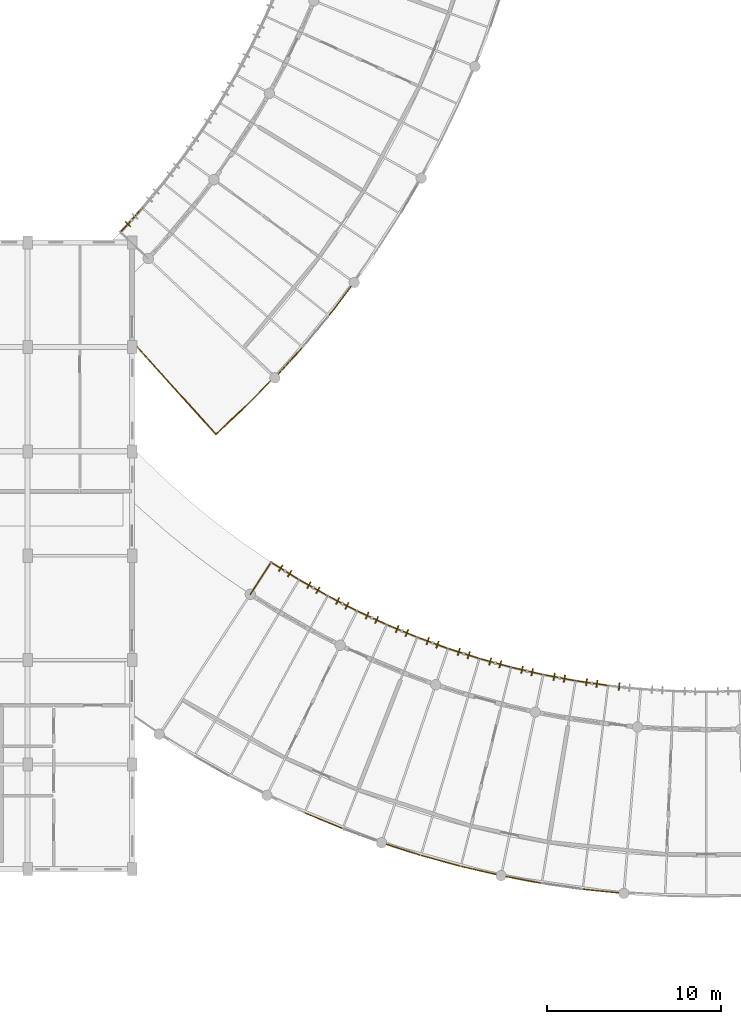
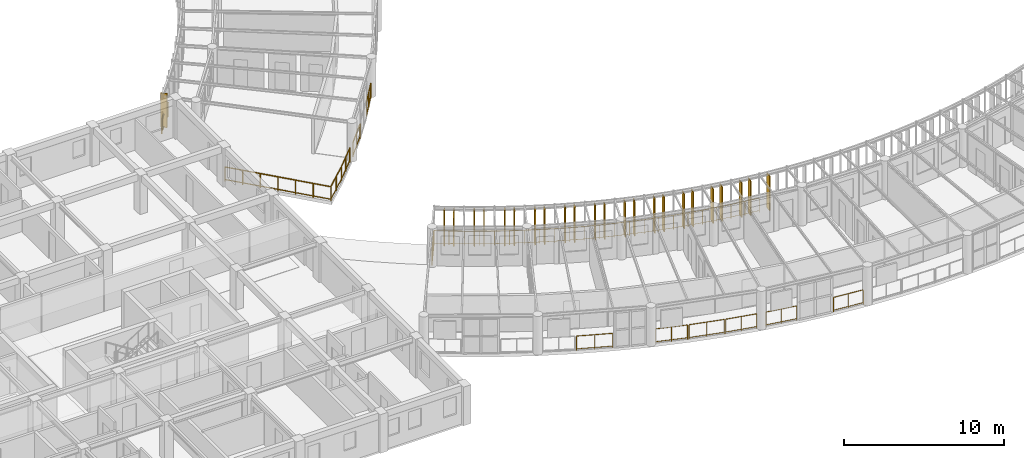
# One storey, part 89 of 100: 24 railings, 24 shading devices.
"""IFC4 building model written with IfcOpenShell, lengths in metres."""

from ifc_helpers import new_model, si_unit, direction, frame, origin, origin_2d, place, context, subcontext, project, spatial, rectangle, circle, extrude, material, layer, layer_set, type_object, element, save


model = new_model("IFC4")

# Units and contexts
model_context = context("Model", 3, precision=1e-05, world=origin(), true_north=direction((0.0, 1.0)))
body_context = subcontext(model_context, "Body", "Model", "MODEL_VIEW")
ifc_project = project(units=[si_unit("LENGTHUNIT", "METRE"), si_unit("AREAUNIT", "SQUARE_METRE"), si_unit("VOLUMEUNIT", "CUBIC_METRE"), si_unit("PLANEANGLEUNIT", "RADIAN"), si_unit("MASSUNIT", "GRAM", prefix="KILO"), si_unit("POWERUNIT", "WATT"), si_unit("THERMODYNAMICTEMPERATUREUNIT", "KELVIN")], contexts=[model_context])

# Site, building, storey
site_placement = place(None, origin())
site = spatial("IfcSite", under=ifc_project, at=site_placement, CompositionType="ELEMENT")
building_placement = place(site_placement, origin())
building = spatial("IfcBuilding", under=site, at=building_placement, Name="Ruvembo Vaulted Housing Court", CompositionType="ELEMENT")
storey_placement = place(building_placement, frame((0.0, 0.0, 14.10009765625)))
storey = spatial("IfcBuildingStorey", under=building, at=storey_placement, Name="L04", CompositionType="ELEMENT", Elevation=14.10009765625)

# Railings
ifc_material_1 = material(Name="Galvanised Painted Steel and Laminated Glass", Category="steel")
ifc_layer_1 = layer(ifc_material_1, 0.070068359375, Name="Galvanised Painted Steel and Laminated Glass")
ifc_layer_set_1 = layer_set([ifc_layer_1], Name="Galvanised Painted Steel and Laminated Glass")
railing_type_1 = type_object("IfcRailingType", Name="RL-BALUST-1120", PredefinedType="BALUSTRADE", material=ifc_layer_set_1)
railing_1_placement = place(storey_placement, frame((44.408935546875, 34.44189453125, 0.0)))
element("IfcRailing", 1, at=railing_1_placement, inside=storey, type_object=railing_type_1, Name="L04 Perimeter Guard RL-EXT-L04-0145", PredefinedType="BALUSTRADE", context=body_context, shape_type="SweptSolid", body=[
    extrude(circle(Radius=0.02392578125, at=origin_2d()), frame((0.0, 0.0, 1.09619140625), z_axis=(0.670925942214, 0.741524362422, 0.0), x_axis=(-0.741524362422, 0.670925942214, 0.0)), (0.0, 0.0, 1.0), 2.0263671875),
    extrude(circle(Radius=0.01806640625, at=origin_2d()), frame((0.0, 0.0, 0.1201171875), z_axis=(0.670925942214, 0.741524362422, 0.0), x_axis=(-0.741524362422, 0.670925942214, 0.0)), (0.0, 0.0, 1.0), 2.0263671875),
    extrude(circle(Radius=0.02099609375, at=origin_2d()), origin(), (0.0, 0.0, 1.0), 1.072021484375),
    extrude(circle(Radius=0.02099609375, at=origin_2d()), frame((0.6796875, 0.75146484375, 0.0)), (0.0, 0.0, 1.0), 1.072021484375),
    extrude(circle(Radius=0.02099609375, at=origin_2d()), frame((1.359619140625, 1.502685546875, 0.0)), (0.0, 0.0, 1.0), 1.072021484375),
])
railing_2_placement = place(storey_placement, frame((47.35302734375, 37.847900390625, 0.0)))
element("IfcRailing", 2, at=railing_2_placement, inside=storey, type_object=railing_type_1, Name="L04 Perimeter Guard RL-EXT-L04-0146", PredefinedType="BALUSTRADE", context=body_context, shape_type="SweptSolid", body=[
    extrude(circle(Radius=0.02392578125, at=origin_2d()), frame((0.0, 0.0, 1.09619140625), z_axis=(0.607892701824, 0.794019183061, 0.0), x_axis=(-0.794019183061, 0.607892701824, 0.0)), (0.0, 0.0, 1.0), 2.026611328125),
    extrude(circle(Radius=0.01806640625, at=origin_2d()), frame((0.0, 0.0, 0.1201171875), z_axis=(0.607892701824, 0.794019183061, 0.0), x_axis=(-0.794019183061, 0.607892701824, 0.0)), (0.0, 0.0, 1.0), 2.026611328125),
    extrude(circle(Radius=0.02099609375, at=origin_2d()), origin(), (0.0, 0.0, 1.0), 1.072021484375),
    extrude(circle(Radius=0.02099609375, at=origin_2d()), frame((0.615966796875, 0.8046875, 0.0)), (0.0, 0.0, 1.0), 1.072021484375),
    extrude(circle(Radius=0.02099609375, at=origin_2d()), frame((1.23193359375, 1.609130859375, 0.0)), (0.0, 0.0, 1.0), 1.072021484375),
])
railing_3_placement = place(storey_placement, frame((45.95263671875, 9.213134765625, 0.0)))
element("IfcRailing", 3, at=railing_3_placement, inside=storey, type_object=railing_type_1, Name="L04 Perimeter Guard RL-EXT-L04-0425", PredefinedType="BALUSTRADE", context=body_context, shape_type="SweptSolid", body=[
    extrude(circle(Radius=0.02392578125, at=origin_2d()), frame((0.0, 0.0, 1.09619140625), z_axis=(0.924177481842, -0.381963325538, 0.0), x_axis=(0.381963325538, 0.924177481842, 0.0)), (0.0, 0.0, 1.0), 2.276123046875),
    extrude(circle(Radius=0.01806640625, at=origin_2d()), frame((0.0, 0.0, 0.1201171875), z_axis=(0.924177481842, -0.381963325538, 0.0), x_axis=(0.381963325538, 0.924177481842, 0.0)), (0.0, 0.0, 1.0), 2.276123046875),
    extrude(circle(Radius=0.02099609375, at=origin_2d()), origin(), (0.0, 0.0, 1.0), 1.072021484375),
    extrude(circle(Radius=0.02099609375, at=origin_2d()), frame((1.0517578125, -0.4345703125, 0.0)), (0.0, 0.0, 1.0), 1.072021484375),
    extrude(circle(Radius=0.02099609375, at=origin_2d()), frame((2.103515625, -0.869384765625, 0.0)), (0.0, 0.0, 1.0), 1.072021484375),
])
railing_4_placement = place(storey_placement, frame((50.619384765625, 7.4169921875, 0.0)))
element("IfcRailing", 4, at=railing_4_placement, inside=storey, type_object=railing_type_1, Name="L04 Perimeter Guard RL-EXT-L04-0426", PredefinedType="BALUSTRADE", context=body_context, shape_type="SweptSolid", body=[
    extrude(circle(Radius=0.02392578125, at=origin_2d()), frame((0.0, 0.0, 1.09619140625), z_axis=(0.952549987203, -0.304382197049, 0.0), x_axis=(0.304382197049, 0.952549987203, 0.0)), (0.0, 0.0, 1.0), 2.026123046875),
    extrude(circle(Radius=0.01806640625, at=origin_2d()), frame((0.0, 0.0, 0.1201171875), z_axis=(0.952549987203, -0.304382197049, 0.0), x_axis=(0.304382197049, 0.952549987203, 0.0)), (0.0, 0.0, 1.0), 2.026123046875),
    extrude(circle(Radius=0.02099609375, at=origin_2d()), origin(), (0.0, 0.0, 1.0), 1.072021484375),
    extrude(circle(Radius=0.02099609375, at=origin_2d()), frame((0.96484375, -0.308349609375, 0.0)), (0.0, 0.0, 1.0), 1.072021484375),
    extrude(circle(Radius=0.02099609375, at=origin_2d()), frame((1.929931640625, -0.61669921875, 0.0)), (0.0, 0.0, 1.0), 1.072021484375),
])
railing_5_placement = place(storey_placement, frame((52.64501953125, 6.771728515625, 0.0)))
element("IfcRailing", 5, at=railing_5_placement, inside=storey, type_object=railing_type_1, Name="L04 Perimeter Guard RL-EXT-L04-0427", PredefinedType="BALUSTRADE", context=body_context, shape_type="SweptSolid", body=[
    extrude(circle(Radius=0.02392578125, at=origin_2d()), frame((0.0, 0.0, 1.09619140625), z_axis=(0.964267067666, -0.264932108691, 0.0), x_axis=(0.264932108691, 0.964267067666, 0.0)), (0.0, 0.0, 1.0), 2.276123046875),
    extrude(circle(Radius=0.01806640625, at=origin_2d()), frame((0.0, 0.0, 0.1201171875), z_axis=(0.964267067666, -0.264932108691, 0.0), x_axis=(0.264932108691, 0.964267067666, 0.0)), (0.0, 0.0, 1.0), 2.276123046875),
    extrude(circle(Radius=0.02099609375, at=origin_2d()), origin(), (0.0, 0.0, 1.0), 1.072021484375),
    extrude(circle(Radius=0.02099609375, at=origin_2d()), frame((1.097412109375, -0.301513671875, 0.0)), (0.0, 0.0, 1.0), 1.072021484375),
    extrude(circle(Radius=0.02099609375, at=origin_2d()), frame((2.19482421875, -0.60302734375, 0.0)), (0.0, 0.0, 1.0), 1.072021484375),
])
railing_6_placement = place(storey_placement, frame((54.936767578125, 6.144287109375, 0.0)))
element("IfcRailing", 6, at=railing_6_placement, inside=storey, type_object=railing_type_1, Name="L04 Perimeter Guard RL-EXT-L04-0428", PredefinedType="BALUSTRADE", context=body_context, shape_type="SweptSolid", body=[
    extrude(circle(Radius=0.02392578125, at=origin_2d()), frame((0.0, 0.0, 1.09619140625), z_axis=(0.974364787244, -0.224973912662, 0.0), x_axis=(0.224973912662, 0.974364787244, 0.0)), (0.0, 0.0, 1.0), 2.026123046875),
    extrude(circle(Radius=0.01806640625, at=origin_2d()), frame((0.0, 0.0, 0.1201171875), z_axis=(0.974364787244, -0.224973912662, 0.0), x_axis=(0.224973912662, 0.974364787244, 0.0)), (0.0, 0.0, 1.0), 2.026123046875),
    extrude(circle(Radius=0.02099609375, at=origin_2d()), origin(), (0.0, 0.0, 1.0), 1.072021484375),
    extrude(circle(Radius=0.02099609375, at=origin_2d()), frame((0.987060546875, -0.22802734375, 0.0)), (0.0, 0.0, 1.0), 1.072021484375),
    extrude(circle(Radius=0.02099609375, at=origin_2d()), frame((1.97412109375, -0.455810546875, 0.0)), (0.0, 0.0, 1.0), 1.072021484375),
])
railing_7_placement = place(storey_placement, frame((57.497802734375, 5.565673828125, 0.0)))
element("IfcRailing", 7, at=railing_7_placement, inside=storey, type_object=railing_type_1, Name="L04 Perimeter Guard RL-EXT-L04-0429", PredefinedType="BALUSTRADE", context=body_context, shape_type="SweptSolid", body=[
    extrude(circle(Radius=0.02392578125, at=origin_2d()), frame((0.0, 0.0, 1.09619140625), z_axis=(0.98281621731, -0.184586789864, 0.0), x_axis=(0.184586789864, 0.98281621731, 0.0)), (0.0, 0.0, 1.0), 2.0263671875),
    extrude(circle(Radius=0.01806640625, at=origin_2d()), frame((0.0, 0.0, 0.1201171875), z_axis=(0.98281621731, -0.184586789864, 0.0), x_axis=(0.184586789864, 0.98281621731, 0.0)), (0.0, 0.0, 1.0), 2.0263671875),
    extrude(circle(Radius=0.02099609375, at=origin_2d()), origin(), (0.0, 0.0, 1.0), 1.072021484375),
    extrude(circle(Radius=0.02099609375, at=origin_2d()), frame((0.99560546875, -0.18701171875, 0.0)), (0.0, 0.0, 1.0), 1.072021484375),
    extrude(circle(Radius=0.02099609375, at=origin_2d()), frame((1.991455078125, -0.3740234375, 0.0)), (0.0, 0.0, 1.0), 1.072021484375),
])
railing_8_placement = place(storey_placement, frame((61.939208984375, 4.83544921875, 0.0)))
element("IfcRailing", 8, at=railing_8_placement, inside=storey, type_object=railing_type_1, Name="L04 Perimeter Guard RL-EXT-L04-0430", PredefinedType="BALUSTRADE", context=body_context, shape_type="SweptSolid", body=[
    extrude(circle(Radius=0.02392578125, at=origin_2d()), frame((0.0, 0.0, 1.09619140625), z_axis=(0.994679027979, -0.103022479579, 0.0), x_axis=(0.103022479579, 0.994679027979, 0.0)), (0.0, 0.0, 1.0), 2.026123046875),
    extrude(circle(Radius=0.01806640625, at=origin_2d()), frame((0.0, 0.0, 0.1201171875), z_axis=(0.994679027979, -0.103022479579, 0.0), x_axis=(0.103022479579, 0.994679027979, 0.0)), (0.0, 0.0, 1.0), 2.026123046875),
    extrude(circle(Radius=0.02099609375, at=origin_2d()), origin(), (0.0, 0.0, 1.0), 1.072021484375),
    extrude(circle(Radius=0.02099609375, at=origin_2d()), frame((1.0078125, -0.1044921875, 0.0)), (0.0, 0.0, 1.0), 1.072021484375),
    extrude(circle(Radius=0.02099609375, at=origin_2d()), frame((2.015380859375, -0.208740234375, 0.0)), (0.0, 0.0, 1.0), 1.072021484375),
])
ifc_material_2 = material(Name="Galvanised Painted Steel S275", Category="steel")
ifc_layer_2 = layer(ifc_material_2, 0.06005859375, Name="Galvanised Painted Steel S275")
ifc_layer_set_2 = layer_set([ifc_layer_2], Name="Galvanised Painted Steel S275")
railing_type_2 = type_object("IfcRailingType", Name="RL-GUARD-1100", PredefinedType="GUARDRAIL", material=ifc_layer_set_2)
railing_9_placement = place(storey_placement, frame((35.32958984375, 42.5869140625, 0.0)))
element("IfcRailing", 9, at=railing_9_placement, inside=storey, type_object=railing_type_2, Name="L04 Perimeter Guard RL-EXT-L04-0125", PredefinedType="GUARDRAIL", context=body_context, shape_type="SweptSolid", body=[
    extrude(circle(Radius=0.02392578125, at=origin_2d()), frame((0.0, 0.0, 1.076171875), z_axis=(0.670766832997, 0.741668292265, 0.0), x_axis=(-0.741668292265, 0.670766832997, 0.0)), (0.0, 0.0, 1.0), 1.876708984375),
    extrude(circle(Radius=0.01806640625, at=origin_2d()), frame((0.0, 0.0, 0.1201171875), z_axis=(0.670766832997, 0.741668292265, 0.0), x_axis=(-0.741668292265, 0.670766832997, 0.0)), (0.0, 0.0, 1.0), 1.876708984375),
    extrude(circle(Radius=0.02099609375, at=origin_2d()), origin(), (0.0, 0.0, 1.0), 1.052001953125),
    extrude(circle(Radius=0.02099609375, at=origin_2d()), frame((0.62939453125, 0.69580078125, 0.0)), (0.0, 0.0, 1.0), 1.052001953125),
    extrude(circle(Radius=0.02099609375, at=origin_2d()), frame((1.2587890625, 1.391845703125, 0.0)), (0.0, 0.0, 1.0), 1.052001953125),
])
railing_10_placement = place(storey_placement, frame((42.79345703125, 21.785400390625, 0.0)))
element("IfcRailing", 10, at=railing_10_placement, inside=storey, type_object=railing_type_2, Name="L04 Perimeter Guard RL-EXT-L04-0392", PredefinedType="GUARDRAIL", context=body_context, shape_type="SweptSolid", body=[
    extrude(circle(Radius=0.02392578125, at=origin_2d()), frame((0.0, 0.0, 1.076171875), z_axis=(0.546013859183, 0.837776142881, 0.0), x_axis=(-0.837776142881, 0.546013859183, 0.0)), (0.0, 0.0, 1.0), 2.199951171875),
    extrude(circle(Radius=0.01806640625, at=origin_2d()), frame((0.0, 0.0, 0.1201171875), z_axis=(0.546013859183, 0.837776142881, 0.0), x_axis=(-0.837776142881, 0.546013859183, 0.0)), (0.0, 0.0, 1.0), 2.199951171875),
    extrude(circle(Radius=0.02099609375, at=origin_2d()), origin(), (0.0, 0.0, 1.0), 1.052001953125),
    extrude(circle(Radius=0.02099609375, at=origin_2d()), frame((0.6005859375, 0.92138671875, 0.0)), (0.0, 0.0, 1.0), 1.052001953125),
    extrude(circle(Radius=0.02099609375, at=origin_2d()), frame((1.201171875, 1.843017578125, 0.0)), (0.0, 0.0, 1.0), 1.052001953125),
])
railing_11_placement = place(storey_placement, frame((43.99462890625, 23.62841796875, 0.0)))
element("IfcRailing", 11, at=railing_11_placement, inside=storey, type_object=railing_type_2, Name="L04 Perimeter Guard RL-EXT-L04-0393", PredefinedType="GUARDRAIL", context=body_context, shape_type="SweptSolid", body=[
    extrude(circle(Radius=0.02392578125, at=origin_2d()), frame((0.0, 0.0, 1.076171875), z_axis=(0.848904567119, -0.52854615307, 0.0), x_axis=(0.52854615307, 0.848904567119, 0.0)), (0.0, 0.0, 1.0), 1.88916015625),
    extrude(circle(Radius=0.01806640625, at=origin_2d()), frame((0.0, 0.0, 0.1201171875), z_axis=(0.848904567119, -0.52854615307, 0.0), x_axis=(0.52854615307, 0.848904567119, 0.0)), (0.0, 0.0, 1.0), 1.88916015625),
    extrude(circle(Radius=0.02099609375, at=origin_2d()), origin(), (0.0, 0.0, 1.0), 1.052001953125),
    extrude(circle(Radius=0.02099609375, at=origin_2d()), frame((0.8017578125, -0.499267578125, 0.0)), (0.0, 0.0, 1.0), 1.052001953125),
    extrude(circle(Radius=0.02099609375, at=origin_2d()), frame((1.603759765625, -0.99853515625, 0.0)), (0.0, 0.0, 1.0), 1.052001953125),
])
railing_12_placement = place(storey_placement, frame((45.598388671875, 22.6298828125, 0.0)))
element("IfcRailing", 12, at=railing_12_placement, inside=storey, type_object=railing_type_2, Name="L04 Perimeter Guard RL-EXT-L04-0394", PredefinedType="GUARDRAIL", context=body_context, shape_type="SweptSolid", body=[
    extrude(circle(Radius=0.02392578125, at=origin_2d()), frame((0.0, 0.0, 1.076171875), z_axis=(0.869955662473, -0.493129947712, 0.0), x_axis=(0.493129947712, 0.869955662473, 0.0)), (0.0, 0.0, 1.0), 1.88916015625),
    extrude(circle(Radius=0.01806640625, at=origin_2d()), frame((0.0, 0.0, 0.1201171875), z_axis=(0.869955662473, -0.493129947712, 0.0), x_axis=(0.493129947712, 0.869955662473, 0.0)), (0.0, 0.0, 1.0), 1.88916015625),
    extrude(circle(Radius=0.02099609375, at=origin_2d()), origin(), (0.0, 0.0, 1.0), 1.052001953125),
    extrude(circle(Radius=0.02099609375, at=origin_2d()), frame((0.82177734375, -0.4658203125, 0.0)), (0.0, 0.0, 1.0), 1.052001953125),
    extrude(circle(Radius=0.02099609375, at=origin_2d()), frame((1.6435546875, -0.931640625, 0.0)), (0.0, 0.0, 1.0), 1.052001953125),
])
railing_13_placement = place(storey_placement, frame((47.241943359375, 21.6982421875, 0.0)))
element("IfcRailing", 13, at=railing_13_placement, inside=storey, type_object=railing_type_2, Name="L04 Perimeter Guard RL-EXT-L04-0395", PredefinedType="GUARDRAIL", context=body_context, shape_type="SweptSolid", body=[
    extrude(circle(Radius=0.02392578125, at=origin_2d()), frame((0.0, 0.0, 1.076171875), z_axis=(0.889568437347, -0.45680192127, 0.0), x_axis=(0.45680192127, 0.889568437347, 0.0)), (0.0, 0.0, 1.0), 1.889404296875),
    extrude(circle(Radius=0.01806640625, at=origin_2d()), frame((0.0, 0.0, 0.1201171875), z_axis=(0.889568437347, -0.45680192127, 0.0), x_axis=(0.45680192127, 0.889568437347, 0.0)), (0.0, 0.0, 1.0), 1.889404296875),
    extrude(circle(Radius=0.02099609375, at=origin_2d()), origin(), (0.0, 0.0, 1.0), 1.052001953125),
    extrude(circle(Radius=0.02099609375, at=origin_2d()), frame((0.84033203125, -0.431640625, 0.0)), (0.0, 0.0, 1.0), 1.052001953125),
    extrude(circle(Radius=0.02099609375, at=origin_2d()), frame((1.6806640625, -0.863037109375, 0.0)), (0.0, 0.0, 1.0), 1.052001953125),
])
railing_14_placement = place(storey_placement, frame((48.922607421875, 20.835205078125, 0.0)))
element("IfcRailing", 14, at=railing_14_placement, inside=storey, type_object=railing_type_2, Name="L04 Perimeter Guard RL-EXT-L04-0396", PredefinedType="GUARDRAIL", context=body_context, shape_type="SweptSolid", body=[
    extrude(circle(Radius=0.02392578125, at=origin_2d()), frame((0.0, 0.0, 1.076171875), z_axis=(0.907656578832, -0.419713634403, 0.0), x_axis=(0.419713634403, 0.907656578832, 0.0)), (0.0, 0.0, 1.0), 1.889404296875),
    extrude(circle(Radius=0.01806640625, at=origin_2d()), frame((0.0, 0.0, 0.1201171875), z_axis=(0.907656578832, -0.419713634403, 0.0), x_axis=(0.419713634403, 0.907656578832, 0.0)), (0.0, 0.0, 1.0), 1.889404296875),
    extrude(circle(Radius=0.02099609375, at=origin_2d()), origin(), (0.0, 0.0, 1.0), 1.052001953125),
    extrude(circle(Radius=0.02099609375, at=origin_2d()), frame((0.857421875, -0.396484375, 0.0)), (0.0, 0.0, 1.0), 1.052001953125),
    extrude(circle(Radius=0.02099609375, at=origin_2d()), frame((1.71484375, -0.79296875, 0.0)), (0.0, 0.0, 1.0), 1.052001953125),
])
railing_15_placement = place(storey_placement, frame((50.637451171875, 20.042236328125, 0.0)))
element("IfcRailing", 15, at=railing_15_placement, inside=storey, type_object=railing_type_2, Name="L04 Perimeter Guard RL-EXT-L04-0397", PredefinedType="GUARDRAIL", context=body_context, shape_type="SweptSolid", body=[
    extrude(circle(Radius=0.02392578125, at=origin_2d()), frame((0.0, 0.0, 1.076171875), z_axis=(0.924155321549, -0.38201693896, 0.0), x_axis=(0.38201693896, 0.924155321549, 0.0)), (0.0, 0.0, 1.0), 1.88916015625),
    extrude(circle(Radius=0.01806640625, at=origin_2d()), frame((0.0, 0.0, 0.1201171875), z_axis=(0.924155321549, -0.38201693896, 0.0), x_axis=(0.38201693896, 0.924155321549, 0.0)), (0.0, 0.0, 1.0), 1.88916015625),
    extrude(circle(Radius=0.02099609375, at=origin_2d()), origin(), (0.0, 0.0, 1.0), 1.052001953125),
    extrude(circle(Radius=0.02099609375, at=origin_2d()), frame((0.873046875, -0.36083984375, 0.0)), (0.0, 0.0, 1.0), 1.052001953125),
    extrude(circle(Radius=0.02099609375, at=origin_2d()), frame((1.745849609375, -0.7216796875, 0.0)), (0.0, 0.0, 1.0), 1.052001953125),
])
railing_16_placement = place(storey_placement, frame((52.38330078125, 19.320556640625, 0.0)))
element("IfcRailing", 16, at=railing_16_placement, inside=storey, type_object=railing_type_2, Name="L04 Perimeter Guard RL-EXT-L04-0398", PredefinedType="GUARDRAIL", context=body_context, shape_type="SweptSolid", body=[
    extrude(circle(Radius=0.02392578125, at=origin_2d()), frame((0.0, 0.0, 1.076171875), z_axis=(0.939165556371, -0.343464783824, 0.0), x_axis=(0.343464783824, 0.939165556371, 0.0)), (0.0, 0.0, 1.0), 1.889404296875),
    extrude(circle(Radius=0.01806640625, at=origin_2d()), frame((0.0, 0.0, 0.1201171875), z_axis=(0.939165556371, -0.343464783824, 0.0), x_axis=(0.343464783824, 0.939165556371, 0.0)), (0.0, 0.0, 1.0), 1.889404296875),
    extrude(circle(Radius=0.02099609375, at=origin_2d()), origin(), (0.0, 0.0, 1.0), 1.052001953125),
    extrude(circle(Radius=0.02099609375, at=origin_2d()), frame((0.88720703125, -0.324462890625, 0.0)), (0.0, 0.0, 1.0), 1.052001953125),
    extrude(circle(Radius=0.02099609375, at=origin_2d()), frame((1.7744140625, -0.64892578125, 0.0)), (0.0, 0.0, 1.0), 1.052001953125),
])
railing_17_placement = place(storey_placement, frame((54.15771484375, 18.671630859375, 0.0)))
element("IfcRailing", 17, at=railing_17_placement, inside=storey, type_object=railing_type_2, Name="L04 Perimeter Guard RL-EXT-L04-0399", PredefinedType="GUARDRAIL", context=body_context, shape_type="SweptSolid", body=[
    extrude(circle(Radius=0.02392578125, at=origin_2d()), frame((0.0, 0.0, 1.076171875), z_axis=(0.952526124364, -0.304456864605, 0.0), x_axis=(0.304456864605, 0.952526124364, 0.0)), (0.0, 0.0, 1.0), 1.88916015625),
    extrude(circle(Radius=0.01806640625, at=origin_2d()), frame((0.0, 0.0, 0.1201171875), z_axis=(0.952526124364, -0.304456864605, 0.0), x_axis=(0.304456864605, 0.952526124364, 0.0)), (0.0, 0.0, 1.0), 1.88916015625),
    extrude(circle(Radius=0.02099609375, at=origin_2d()), origin(), (0.0, 0.0, 1.0), 1.052001953125),
    extrude(circle(Radius=0.02099609375, at=origin_2d()), frame((0.89990234375, -0.28759765625, 0.0)), (0.0, 0.0, 1.0), 1.052001953125),
    extrude(circle(Radius=0.02099609375, at=origin_2d()), frame((1.799560546875, -0.5751953125, 0.0)), (0.0, 0.0, 1.0), 1.052001953125),
])
railing_18_placement = place(storey_placement, frame((55.957275390625, 18.096435546875, 0.0)))
element("IfcRailing", 18, at=railing_18_placement, inside=storey, type_object=railing_type_2, Name="L04 Perimeter Guard RL-EXT-L04-0400", PredefinedType="GUARDRAIL", context=body_context, shape_type="SweptSolid", body=[
    extrude(circle(Radius=0.02392578125, at=origin_2d()), frame((0.0, 0.0, 1.076171875), z_axis=(0.964240073493, -0.26503033915, 0.0), x_axis=(0.26503033915, 0.964240073493, 0.0)), (0.0, 0.0, 1.0), 1.889404296875),
    extrude(circle(Radius=0.01806640625, at=origin_2d()), frame((0.0, 0.0, 0.1201171875), z_axis=(0.964240073493, -0.26503033915, 0.0), x_axis=(0.26503033915, 0.964240073493, 0.0)), (0.0, 0.0, 1.0), 1.889404296875),
    extrude(circle(Radius=0.02099609375, at=origin_2d()), origin(), (0.0, 0.0, 1.0), 1.052001953125),
    extrude(circle(Radius=0.02099609375, at=origin_2d()), frame((0.910888671875, -0.25048828125, 0.0)), (0.0, 0.0, 1.0), 1.052001953125),
    extrude(circle(Radius=0.02099609375, at=origin_2d()), frame((1.82177734375, -0.500732421875, 0.0)), (0.0, 0.0, 1.0), 1.052001953125),
])
railing_19_placement = place(storey_placement, frame((57.779052734375, 17.595703125, 0.0)))
element("IfcRailing", 19, at=railing_19_placement, inside=storey, type_object=railing_type_2, Name="L04 Perimeter Guard RL-EXT-L04-0401", PredefinedType="GUARDRAIL", context=body_context, shape_type="SweptSolid", body=[
    extrude(circle(Radius=0.02392578125, at=origin_2d()), frame((0.0, 0.0, 1.076171875), z_axis=(0.974391195695, -0.224859506699, 0.0), x_axis=(0.224859506699, 0.974391195695, 0.0)), (0.0, 0.0, 1.0), 1.88916015625),
    extrude(circle(Radius=0.01806640625, at=origin_2d()), frame((0.0, 0.0, 0.1201171875), z_axis=(0.974391195695, -0.224859506699, 0.0), x_axis=(0.224859506699, 0.974391195695, 0.0)), (0.0, 0.0, 1.0), 1.88916015625),
    extrude(circle(Radius=0.02099609375, at=origin_2d()), origin(), (0.0, 0.0, 1.0), 1.052001953125),
    extrude(circle(Radius=0.02099609375, at=origin_2d()), frame((0.92041015625, -0.21240234375, 0.0)), (0.0, 0.0, 1.0), 1.052001953125),
    extrude(circle(Radius=0.02099609375, at=origin_2d()), frame((1.8408203125, -0.4248046875, 0.0)), (0.0, 0.0, 1.0), 1.052001953125),
])
railing_20_placement = place(storey_placement, frame((59.619873046875, 17.1708984375, 0.0)))
element("IfcRailing", 20, at=railing_20_placement, inside=storey, type_object=railing_type_2, Name="L04 Perimeter Guard RL-EXT-L04-0402", PredefinedType="GUARDRAIL", context=body_context, shape_type="SweptSolid", body=[
    extrude(circle(Radius=0.02392578125, at=origin_2d()), frame((0.0, 0.0, 1.076171875), z_axis=(0.982804832401, -0.184647397515, 0.0), x_axis=(0.184647397515, 0.982804832401, 0.0)), (0.0, 0.0, 1.0), 1.889404296875),
    extrude(circle(Radius=0.01806640625, at=origin_2d()), frame((0.0, 0.0, 0.1201171875), z_axis=(0.982804832401, -0.184647397515, 0.0), x_axis=(0.184647397515, 0.982804832401, 0.0)), (0.0, 0.0, 1.0), 1.889404296875),
    extrude(circle(Radius=0.02099609375, at=origin_2d()), origin(), (0.0, 0.0, 1.0), 1.052001953125),
    extrude(circle(Radius=0.02099609375, at=origin_2d()), frame((0.928466796875, -0.17431640625, 0.0)), (0.0, 0.0, 1.0), 1.052001953125),
    extrude(circle(Radius=0.02099609375, at=origin_2d()), frame((1.85693359375, -0.348876953125, 0.0)), (0.0, 0.0, 1.0), 1.052001953125),
])
railing_21_placement = place(storey_placement, frame((61.476806640625, 16.822021484375, 0.0)))
element("IfcRailing", 21, at=railing_21_placement, inside=storey, type_object=railing_type_2, Name="L04 Perimeter Guard RL-EXT-L04-0403", PredefinedType="GUARDRAIL", context=body_context, shape_type="SweptSolid", body=[
    extrude(circle(Radius=0.02392578125, at=origin_2d()), frame((0.0, 0.0, 1.076171875), z_axis=(0.989600158039, -0.143845497701, 0.0), x_axis=(0.143845497701, 0.989600158039, 0.0)), (0.0, 0.0, 1.0), 1.888916015625),
    extrude(circle(Radius=0.01806640625, at=origin_2d()), frame((0.0, 0.0, 0.1201171875), z_axis=(0.989600158039, -0.143845497701, 0.0), x_axis=(0.143845497701, 0.989600158039, 0.0)), (0.0, 0.0, 1.0), 1.888916015625),
    extrude(circle(Radius=0.02099609375, at=origin_2d()), origin(), (0.0, 0.0, 1.0), 1.052001953125),
    extrude(circle(Radius=0.02099609375, at=origin_2d()), frame((0.9345703125, -0.1357421875, 0.0)), (0.0, 0.0, 1.0), 1.052001953125),
    extrude(circle(Radius=0.02099609375, at=origin_2d()), frame((1.869384765625, -0.271728515625, 0.0)), (0.0, 0.0, 1.0), 1.052001953125),
])
railing_22_placement = place(storey_placement, frame((43.94140625, 34.03369140625, 0.0)))
element("IfcRailing", 22, at=railing_22_placement, inside=storey, type_object=railing_type_2, Name="L04 Perimeter Guard RL-EXT-L04-0900", PredefinedType="GUARDRAIL", context=body_context, shape_type="SweptSolid", body=[
    extrude(circle(Radius=0.02392578125, at=origin_2d()), frame((0.0, 0.0, 1.076171875), z_axis=(-0.700606566862, -0.713547782891, 0.0), x_axis=(0.713547782891, -0.700606566862, 0.0)), (0.0, 0.0, 1.0), 2.056396484375),
    extrude(circle(Radius=0.01806640625, at=origin_2d()), frame((0.0, 0.0, 0.1201171875), z_axis=(-0.700606566862, -0.713547782891, 0.0), x_axis=(0.713547782891, -0.700606566862, 0.0)), (0.0, 0.0, 1.0), 2.056396484375),
    extrude(circle(Radius=0.02099609375, at=origin_2d()), origin(), (0.0, 0.0, 1.0), 1.052001953125),
    extrude(circle(Radius=0.02099609375, at=origin_2d()), frame((-0.72021484375, -0.733642578125, 0.0)), (0.0, 0.0, 1.0), 1.052001953125),
    extrude(circle(Radius=0.02099609375, at=origin_2d()), frame((-1.440673828125, -1.46728515625, 0.0)), (0.0, 0.0, 1.0), 1.052001953125),
])
railing_23_placement = place(storey_placement, frame((42.500732421875, 32.56640625, 0.0)))
element("IfcRailing", 23, at=railing_23_placement, inside=storey, type_object=railing_type_2, Name="L04 Perimeter Guard RL-EXT-L04-0901", PredefinedType="GUARDRAIL", context=body_context, shape_type="SweptSolid", body=[
    extrude(circle(Radius=0.02392578125, at=origin_2d()), frame((0.0, 0.0, 1.076171875), z_axis=(-0.729326576297, -0.684165729269, 0.0), x_axis=(0.684165729269, -0.729326576297, 0.0)), (0.0, 0.0, 1.0), 2.313720703125),
    extrude(circle(Radius=0.01806640625, at=origin_2d()), frame((0.0, 0.0, 0.1201171875), z_axis=(-0.729326576297, -0.684165729269, 0.0), x_axis=(0.684165729269, -0.729326576297, 0.0)), (0.0, 0.0, 1.0), 2.313720703125),
    extrude(circle(Radius=0.02099609375, at=origin_2d()), origin(), (0.0, 0.0, 1.0), 1.052001953125),
    extrude(circle(Radius=0.02099609375, at=origin_2d()), frame((-0.84375, -0.79150390625, 0.0)), (0.0, 0.0, 1.0), 1.052001953125),
    extrude(circle(Radius=0.02099609375, at=origin_2d()), frame((-1.6875, -1.5830078125, 0.0)), (0.0, 0.0, 1.0), 1.052001953125),
])
railing_24_placement = place(storey_placement, frame((40.813232421875, 30.9833984375, 0.0)))
element("IfcRailing", 24, at=railing_24_placement, inside=storey, type_object=railing_type_2, Name="L04 Perimeter Guard RL-EXT-L04-0902", PredefinedType="GUARDRAIL", context=body_context, shape_type="SweptSolid", body=[
    extrude(circle(Radius=0.02392578125, at=origin_2d()), frame((0.0, 0.0, 1.076171875), z_axis=(-0.669145391366, 0.74313151273, 0.0), x_axis=(-0.74313151273, -0.669145391366, 0.0)), (0.0, 0.0, 1.0), 6.94287109375),
    extrude(circle(Radius=0.01806640625, at=origin_2d()), frame((0.0, 0.0, 0.1201171875), z_axis=(-0.669145391366, 0.74313151273, 0.0), x_axis=(-0.74313151273, -0.669145391366, 0.0)), (0.0, 0.0, 1.0), 6.94287109375),
    extrude(circle(Radius=0.02099609375, at=origin_2d()), origin(), (0.0, 0.0, 1.0), 1.052001953125),
    extrude(circle(Radius=0.02099609375, at=origin_2d()), frame((-0.7744140625, 0.85986328125, 0.0)), (0.0, 0.0, 1.0), 1.052001953125),
    extrude(circle(Radius=0.02099609375, at=origin_2d()), frame((-1.548583984375, 1.7197265625, 0.0)), (0.0, 0.0, 1.0), 1.052001953125),
    extrude(circle(Radius=0.02099609375, at=origin_2d()), frame((-2.32275390625, 2.57958984375, 0.0)), (0.0, 0.0, 1.0), 1.052001953125),
    extrude(circle(Radius=0.02099609375, at=origin_2d()), frame((-3.09716796875, 3.439697265625, 0.0)), (0.0, 0.0, 1.0), 1.052001953125),
    extrude(circle(Radius=0.02099609375, at=origin_2d()), frame((-3.87158203125, 4.299560546875, 0.0)), (0.0, 0.0, 1.0), 1.052001953125),
    extrude(circle(Radius=0.02099609375, at=origin_2d()), frame((-4.645751953125, 5.159423828125, 0.0)), (0.0, 0.0, 1.0), 1.052001953125),
])

# Shading devices
ifc_material_3 = material(Name="Kiln-Fired Terracotta Extrusion", Category="masonry")
shading_device_type = type_object("IfcShadingDeviceType", Name="SHD-FIN-420", PredefinedType="USERDEFINED", material=ifc_material_3)
shading_device_placement = place(storey_placement, frame((35.7578125, 43.060302734375, 0.0498046875), z_axis=(0.0, 0.0, 1.0), x_axis=(0.741601288413, -0.670840911859, 0.0)))
element("IfcShadingDevice", 25, at=shading_device_placement, inside=storey, type_object=shading_device_type, Name="Terracotta Brise-Soleil Fin #115", ObjectType="FIN", PredefinedType="USERDEFINED", context=body_context, shape_type="SweptSolid", body=[
    extrude(rectangle(XDim=0.419921875, YDim=0.06494140625, at=origin_2d()), origin(), (0.0, 0.0, 1.0), 2.60302734375),
])
for number, where, z_axis, x_axis, name in (
    (26, (44.541748046875, 23.287841796875, 0.0498046875), (0.0, 0.0, 1.0), (-0.528556868381, -0.848897895443, 0.0), "Terracotta Brise-Soleil Fin #359"),
    (27, (45.05126953125, 22.970703125, 0.0498046875), (0.0, 0.0, 1.0), (-0.528556868381, -0.848897895443, 0.0), "Terracotta Brise-Soleil Fin #360"),
    (28, (46.1591796875, 22.31201171875, 0.0498046875), (0.0, 0.0, 1.0), (-0.493106983922, -0.86996867898, 0.0), "Terracotta Brise-Soleil Fin #361"),
    (29, (46.68115234375, 22.01611328125, 0.0498046875), (0.0, 0.0, 1.0), (-0.493106983922, -0.86996867898, 0.0), "Terracotta Brise-Soleil Fin #362"),
    (30, (47.8154296875, 21.40380859375, 0.0498046875), (0.0, 0.0, 1.0), (-0.456849537333, -0.889543984432, 0.0), "Terracotta Brise-Soleil Fin #363"),
    (31, (48.34912109375, 21.129638671875, 0.0498046875), (0.0, 0.0, 1.0), (-0.456849537333, -0.889543984432, 0.0), "Terracotta Brise-Soleil Fin #364"),
    (32, (49.5078125, 20.564697265625, 0.0498046875), (0.0, 0.0, 1.0), (-0.419737248448, -0.90764565898, 0.0), "Terracotta Brise-Soleil Fin #365"),
    (33, (50.05224609375, 20.312744140625, 0.0498046875), (0.0, 0.0, 1.0), (-0.419737248448, -0.90764565898, 0.0), "Terracotta Brise-Soleil Fin #366"),
    (34, (51.233154296875, 19.7958984375, 0.0498046875), (0.0, 0.0, 1.0), (-0.381957701122, -0.924179806398, 0.0), "Terracotta Brise-Soleil Fin #367"),
    (35, (51.78759765625, 19.56689453125, 0.0498046875), (0.0, 0.0, 1.0), (-0.381957701122, -0.924179806398, 0.0), "Terracotta Brise-Soleil Fin #368"),
    (36, (52.98876953125, 19.09912109375, 0.0498046875), (0.0, 0.0, 1.0), (-0.343512177766, -0.939148222447, 0.0), "Terracotta Brise-Soleil Fin #369"),
    (37, (53.55224609375, 18.89306640625, 0.0498046875), (0.0, 0.0, 1.0), (-0.343512177766, -0.939148222447, 0.0), "Terracotta Brise-Soleil Fin #370"),
    (38, (54.771728515625, 18.475341796875, 0.0498046875), (0.0, 0.0, 1.0), (-0.304448708958, -0.952528731122, 0.0), "Terracotta Brise-Soleil Fin #371"),
    (39, (55.34326171875, 18.292724609375, 0.0498046875), (0.0, 0.0, 1.0), (-0.304448708958, -0.952528731122, 0.0), "Terracotta Brise-Soleil Fin #372"),
    (40, (56.578857421875, 17.925537109375, 0.0498046875), (0.0, 0.0, 1.0), (-0.264983965035, -0.96425281865, 0.0), "Terracotta Brise-Soleil Fin #373"),
    (41, (57.157470703125, 17.7666015625, 0.0498046875), (0.0, 0.0, 1.0), (-0.264983965035, -0.96425281865, 0.0), "Terracotta Brise-Soleil Fin #374"),
    (42, (58.406982421875, 17.45068359375, 0.0498046875), (0.0, 0.0, 1.0), (-0.224951054344, -0.974370064785, 0.0), "Terracotta Brise-Soleil Fin #375"),
    (43, (58.99169921875, 17.31591796875, 0.0498046875), (0.0, 0.0, 1.0), (-0.224951054344, -0.974370064785, 0.0), "Terracotta Brise-Soleil Fin #376"),
    (44, (60.25341796875, 17.0517578125, 0.0498046875), (0.0, 0.0, 1.0), (-0.184568910756, -0.982819575091, 0.0), "Terracotta Brise-Soleil Fin #377"),
    (45, (60.843017578125, 16.941162109375, 0.0498046875), (0.0, 0.0, 1.0), (-0.184568910756, -0.982819575091, 0.0), "Terracotta Brise-Soleil Fin #378"),
    (46, (62.114501953125, 16.7294921875, 0.0498046875), (0.0, 0.0, 1.0), (-0.143872610257, -0.989596216655, 0.0), "Terracotta Brise-Soleil Fin #379"),
    (47, (62.70849609375, 16.64306640625, 0.0498046875), (0.0, 0.0, 1.0), (-0.143872610257, -0.989596216655, 0.0), "Terracotta Brise-Soleil Fin #380"),
    (48, (63.987548828125, 16.48388671875, 0.0498046875), (0.0, 0.0, 1.0), (-0.102948783072, -0.994686658232, 0.0), "Terracotta Brise-Soleil Fin #381"),
):
    element("IfcShadingDevice", number, at=place(storey_placement, frame(where, z_axis=z_axis, x_axis=x_axis)), inside=storey, type_object=shading_device_type, Name=name, ObjectType="FIN", PredefinedType="USERDEFINED", context=body_context, shape_type="SweptSolid", body=[
        extrude(rectangle(XDim=0.419921875, YDim=0.06494140625, at=origin_2d()), origin(), (0.0, 0.0, 1.0), 2.633056640625),
    ])

save(model, "model.ifc")
